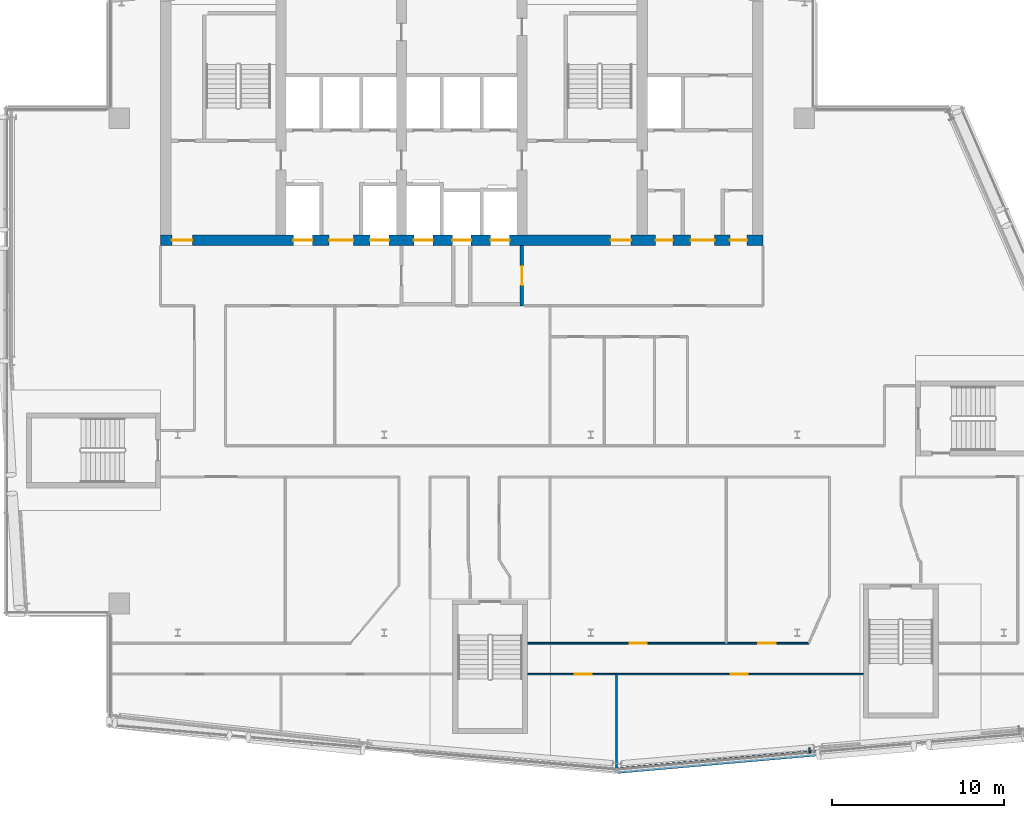
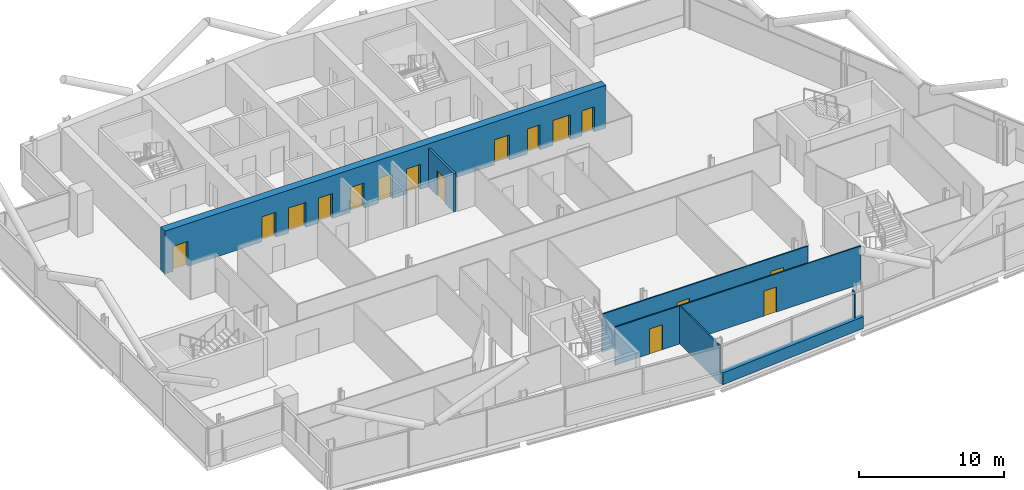
# One storey, part 16 of 27: 16 doors, 7 walls, 16 openings.
"""IFC4 building model written with IfcOpenShell, lengths in metres."""

from ifc_helpers import new_model, si_unit, direction, frame, frame_2d, origin, place, context, subcontext, project, spatial, rectangle, extrude, material, layer, layer_set, type_object, element, fill, save


model = new_model("IFC4")

# Units and contexts
model_context = context("Model", 3, precision=1e-05, world=origin(), true_north=direction((0.0, 1.0)))
body_context = subcontext(model_context, "Body", "Model", "MODEL_VIEW")
ifc_project = project(units=[si_unit("LENGTHUNIT", "METRE"), si_unit("AREAUNIT", "SQUARE_METRE"), si_unit("VOLUMEUNIT", "CUBIC_METRE"), si_unit("PLANEANGLEUNIT", "RADIAN"), si_unit("MASSUNIT", "GRAM", prefix="KILO")], contexts=[model_context])

# Site, building, storey
site_placement = place(None, origin())
site = spatial("IfcSite", under=ifc_project, at=site_placement, CompositionType="ELEMENT")
building_placement = place(site_placement, origin())
building = spatial("IfcBuilding", under=site, at=building_placement, Name="Wharfspan Tower", CompositionType="ELEMENT")
storey_placement = place(building_placement, frame((0.0, 0.0, 243.100098)))
storey = spatial("IfcBuildingStorey", under=building, at=storey_placement, Name="L61", CompositionType="ELEMENT", Elevation=243.100098)

# Wall, openings, doors
ifc_material_1 = material(Name="Gypsum board on steel studs", Category="steel")
ifc_layer_1 = layer(ifc_material_1, 0.100098)
ifc_layer_set_1 = layer_set([ifc_layer_1], Name="Gypsum board on steel studs")
wall_type_1 = type_object("IfcWallType", Name="Compartment wall 100 EI 60", PredefinedType="PARTITIONING", material=ifc_layer_set_1)
wall_1_placement = place(storey_placement, frame((44.327148, 9.094971, 0.0), z_axis=(0.0, 0.0, 1.0), x_axis=(1.0, 0.0, 0.0)))
wall_1 = element("IfcWall", 1, at=wall_1_placement, inside=storey, type_object=wall_type_1, Name="Partition L61.w030", PredefinedType="PARTITIONING", context=body_context, shape_type="SweptSolid", body=[
    extrude(rectangle(XDim=19.516602, YDim=0.100098, at=frame_2d((9.758301, 0.0))), origin(), (0.0, 0.0, 1.0), 3.199951),
])
opening_1_placement = place(wall_1_placement, frame((2.74292, 0.0, 0.0)))
opening_1 = element("IfcOpeningElement", 2, at=opening_1_placement, cuts=wall_1, Name="Opening D5-03", PredefinedType="OPENING", context=body_context, shape_type="SweptSolid", body=[
    extrude(rectangle(XDim=1.0, YDim=2.100098, at=frame_2d((0.5, 1.050049))), frame((0.0, 0.060059, 0.0), z_axis=(0.0, -1.0, 0.0), x_axis=(1.0, 0.0, 0.0)), (0.0, 0.0, 1.0), 0.120117),
])
opening_2_placement = place(wall_1_placement, frame((11.792969, 0.0, 0.0)))
opening_2 = element("IfcOpeningElement", 3, at=opening_2_placement, cuts=wall_1, Name="Opening D5-04", PredefinedType="OPENING", context=body_context, shape_type="SweptSolid", body=[
    extrude(rectangle(XDim=1.0, YDim=2.100098, at=frame_2d((0.5, 1.050049))), frame((0.0, 0.060059, 0.0), z_axis=(0.0, -1.0, 0.0), x_axis=(1.0, 0.0, 0.0)), (0.0, 0.0, 1.0), 0.120117),
])
ifc_material_2 = material(Name="Fire-rated timber door leaf in steel frame", Category="steel")
door_type_1 = type_object("IfcDoorType", Name="Door 1000 FD30S Left", OperationType="SINGLE_SWING_LEFT", PredefinedType="DOOR", material=ifc_material_2)
door_1_placement = place(opening_1_placement, origin())
door_1 = element("IfcDoor", 4, at=door_1_placement, inside=storey, type_object=door_type_1, Name="Door D5-03", OperationType="SINGLE_SWING_LEFT", OverallHeight=2.100098, OverallWidth=1.0, PredefinedType="DOOR", context=body_context, shape_type="SweptSolid", body=[
    extrude(rectangle(XDim=1.0, YDim=2.100098, at=frame_2d((0.5, 1.050049))), frame((0.0, 0.024902, 0.0), z_axis=(0.0, -1.0, 0.0), x_axis=(1.0, 0.0, 0.0)), (0.0, 0.0, 1.0), 0.050049),
])
fill(opening_1, door_1)
door_type_2 = type_object("IfcDoorType", Name="Door 1000 FD30S Right", OperationType="SINGLE_SWING_RIGHT", PredefinedType="DOOR", material=ifc_material_2)
door_2_placement = place(opening_2_placement, origin())
door_2 = element("IfcDoor", 5, at=door_2_placement, inside=storey, type_object=door_type_2, Name="Door D5-04", OperationType="SINGLE_SWING_RIGHT", OverallHeight=2.100098, OverallWidth=1.0, PredefinedType="DOOR", context=body_context, shape_type="SweptSolid", body=[
    extrude(rectangle(XDim=1.0, YDim=2.100098, at=frame_2d((0.5, 1.050049))), frame((0.0, 0.024902, 0.0), z_axis=(0.0, -1.0, 0.0), x_axis=(1.0, 0.0, 0.0)), (0.0, 0.0, 1.0), 0.050049),
])
fill(opening_2, door_2)

wall_2_placement = place(storey_placement, frame((44.327148, 10.89502, 0.0), z_axis=(0.0, 0.0, 1.0), x_axis=(1.0, 0.0, 0.0)))
wall_2 = element("IfcWall", 6, at=wall_2_placement, inside=storey, type_object=wall_type_1, Name="Partition L61.w031", PredefinedType="PARTITIONING", context=body_context, shape_type="SweptSolid", body=[
    extrude(rectangle(XDim=16.332764, YDim=0.100098, at=frame_2d((8.166504, 0.0))), origin(), (0.0, 0.0, 1.0), 3.199951),
])
opening_3_placement = place(wall_2_placement, frame((5.927979, 0.0, 0.0)))
opening_3 = element("IfcOpeningElement", 7, at=opening_3_placement, cuts=wall_2, Name="Opening D5-07", PredefinedType="OPENING", context=body_context, shape_type="SweptSolid", body=[
    extrude(rectangle(XDim=1.0, YDim=2.100098, at=frame_2d((0.5, 1.050049))), frame((0.0, 0.060059, 0.0), z_axis=(0.0, -1.0, 0.0), x_axis=(1.0, 0.0, 0.0)), (0.0, 0.0, 1.0), 0.120117),
])
opening_4_placement = place(wall_2_placement, frame((13.416748, 0.0, 0.0)))
opening_4 = element("IfcOpeningElement", 8, at=opening_4_placement, cuts=wall_2, Name="Opening D5-08", PredefinedType="OPENING", context=body_context, shape_type="SweptSolid", body=[
    extrude(rectangle(XDim=1.0, YDim=2.100098, at=frame_2d((0.5, 1.050049))), frame((0.0, 0.060059, 0.0), z_axis=(0.0, -1.0, 0.0), x_axis=(1.0, 0.0, 0.0)), (0.0, 0.0, 1.0), 0.120117),
])
door_3_placement = place(opening_3_placement, origin())
door_3 = element("IfcDoor", 9, at=door_3_placement, inside=storey, type_object=door_type_1, Name="Door D5-07", OperationType="SINGLE_SWING_LEFT", OverallHeight=2.100098, OverallWidth=1.0, PredefinedType="DOOR", context=body_context, shape_type="SweptSolid", body=[
    extrude(rectangle(XDim=1.0, YDim=2.100098, at=frame_2d((0.5, 1.050049))), frame((0.0, 0.024902, 0.0), z_axis=(0.0, -1.0, 0.0), x_axis=(1.0, 0.0, 0.0)), (0.0, 0.0, 1.0), 0.050049),
])
fill(opening_3, door_3)
door_4_placement = place(opening_4_placement, origin())
door_4 = element("IfcDoor", 10, at=door_4_placement, inside=storey, type_object=door_type_2, Name="Door D5-08", OperationType="SINGLE_SWING_RIGHT", OverallHeight=2.100098, OverallWidth=1.0, PredefinedType="DOOR", context=body_context, shape_type="SweptSolid", body=[
    extrude(rectangle(XDim=1.0, YDim=2.100098, at=frame_2d((0.5, 1.050049))), frame((0.0, 0.024902, 0.0), z_axis=(0.0, -1.0, 0.0), x_axis=(1.0, 0.0, 0.0)), (0.0, 0.0, 1.0), 0.050049),
])
fill(opening_4, door_4)

# Wall
wall_3_placement = place(storey_placement, frame((49.5, 3.51416, 0.0), z_axis=(0.0, 0.0, 1.0), x_axis=(0.0, 1.0, 0.0)))
element("IfcWall", 11, at=wall_3_placement, inside=storey, type_object=wall_type_1, Name="Partition L61.w036", PredefinedType="PARTITIONING", context=body_context, shape_type="SweptSolid", body=[
    extrude(rectangle(XDim=5.580811, YDim=0.100098, at=frame_2d((2.790527, 0.0))), origin(), (0.0, 0.0, 1.0), 3.199951),
])

# Wall, openings, doors
ifc_material_3 = material(Name="Concrete C50/60", Category="concrete")
ifc_layer_2 = layer(ifc_material_3, 0.600098)
ifc_layer_set_2 = layer_set([ifc_layer_2], Name="Concrete C50/60")
wall_type_2 = type_object("IfcWallType", Name="Core wall 600 C50/60", PredefinedType="SHEAR", material=ifc_layer_set_2)
wall_4_placement = place(storey_placement, frame((23.0, 34.300049, 0.0), z_axis=(0.0, 0.0, 1.0), x_axis=(1.0, 0.0, 0.0)))
wall_4 = element("IfcWall", 12, at=wall_4_placement, inside=storey, type_object=wall_type_2, Name="Core front wall L61", PredefinedType="SHEAR", context=body_context, shape_type="SweptSolid", body=[
    extrude(rectangle(XDim=35.0, YDim=0.600098, at=frame_2d((17.5, 0.0))), origin(), (0.0, 0.0, 1.0), 3.599854),
])
opening_5_placement = place(wall_4_placement, frame((0.649902, 0.0, 0.0)))
opening_5 = element("IfcOpeningElement", 13, at=opening_5_placement, cuts=wall_4, Name="Opening SV2.L61", PredefinedType="OPENING", context=body_context, shape_type="SweptSolid", body=[
    extrude(rectangle(XDim=1.199951, YDim=2.100098, at=frame_2d((0.600098, 1.050049))), frame((0.0, 0.310059, 0.0), z_axis=(0.0, -1.0, 0.0), x_axis=(1.0, 0.0, 0.0)), (0.0, 0.0, 1.0), 0.620117),
])
opening_6_placement = place(wall_4_placement, frame((7.716797, 0.0, 0.0)))
opening_6 = element("IfcOpeningElement", 14, at=opening_6_placement, cuts=wall_4, Name="Opening LD.SL1.L61", PredefinedType="OPENING", context=body_context, shape_type="SweptSolid", body=[
    extrude(rectangle(XDim=1.100098, YDim=2.100098, at=frame_2d((0.550049, 1.050049))), frame((0.0, 0.310059, 0.0), z_axis=(0.0, -1.0, 0.0), x_axis=(1.0, 0.0, 0.0)), (0.0, 0.0, 1.0), 0.620117),
])
opening_7_placement = place(wall_4_placement, frame((12.18335, 0.0, 0.0)))
opening_7 = element("IfcOpeningElement", 15, at=opening_7_placement, cuts=wall_4, Name="Opening LD.SL2.L61", PredefinedType="OPENING", context=body_context, shape_type="SweptSolid", body=[
    extrude(rectangle(XDim=1.100098, YDim=2.100098, at=frame_2d((0.550049, 1.050049))), frame((0.0, 0.310059, 0.0), z_axis=(0.0, -1.0, 0.0), x_axis=(1.0, 0.0, 0.0)), (0.0, 0.0, 1.0), 0.620117),
])
opening_8_placement = place(wall_4_placement, frame((9.800049, 0.0, 0.0)))
opening_8 = element("IfcOpeningElement", 16, at=opening_8_placement, cuts=wall_4, Name="Opening HD61.3", PredefinedType="OPENING", context=body_context, shape_type="SweptSolid", body=[
    extrude(rectangle(XDim=1.399902, YDim=2.100098, at=frame_2d((0.699951, 1.050049))), frame((0.0, 0.310059, 0.0), z_axis=(0.0, -1.0, 0.0), x_axis=(1.0, 0.0, 0.0)), (0.0, 0.0, 1.0), 0.620117),
])
opening_9_placement = place(wall_4_placement, frame((14.716797, 0.0, 0.0)))
opening_9 = element("IfcOpeningElement", 17, at=opening_9_placement, cuts=wall_4, Name="Opening LD.FF1.L61", PredefinedType="OPENING", context=body_context, shape_type="SweptSolid", body=[
    extrude(rectangle(XDim=1.100098, YDim=2.100098, at=frame_2d((0.550049, 1.050049))), frame((0.0, 0.310059, 0.0), z_axis=(0.0, -1.0, 0.0), x_axis=(1.0, 0.0, 0.0)), (0.0, 0.0, 1.0), 0.620117),
])
opening_10_placement = place(wall_4_placement, frame((16.949951, 0.0, 0.0)))
opening_10 = element("IfcOpeningElement", 18, at=opening_10_placement, cuts=wall_4, Name="Opening LD.LB7.L61", PredefinedType="OPENING", context=body_context, shape_type="SweptSolid", body=[
    extrude(rectangle(XDim=1.100098, YDim=2.100098, at=frame_2d((0.550049, 1.050049))), frame((0.0, 0.310059, 0.0), z_axis=(0.0, -1.0, 0.0), x_axis=(1.0, 0.0, 0.0)), (0.0, 0.0, 1.0), 0.620117),
])
opening_11_placement = place(wall_4_placement, frame((19.18335, 0.0, 0.0)))
opening_11 = element("IfcOpeningElement", 19, at=opening_11_placement, cuts=wall_4, Name="Opening LD.FF2.L61", PredefinedType="OPENING", context=body_context, shape_type="SweptSolid", body=[
    extrude(rectangle(XDim=1.100098, YDim=2.100098, at=frame_2d((0.550049, 1.050049))), frame((0.0, 0.310059, 0.0), z_axis=(0.0, -1.0, 0.0), x_axis=(1.0, 0.0, 0.0)), (0.0, 0.0, 1.0), 0.620117),
])
opening_12_placement = place(wall_4_placement, frame((26.149902, 0.0, 0.0)))
opening_12 = element("IfcOpeningElement", 20, at=opening_12_placement, cuts=wall_4, Name="Opening SV5.L61", PredefinedType="OPENING", context=body_context, shape_type="SweptSolid", body=[
    extrude(rectangle(XDim=1.199951, YDim=2.100098, at=frame_2d((0.600098, 1.050049))), frame((0.0, 0.310059, 0.0), z_axis=(0.0, -1.0, 0.0), x_axis=(1.0, 0.0, 0.0)), (0.0, 0.0, 1.0), 0.620117),
])
opening_13_placement = place(wall_4_placement, frame((28.766602, 0.0, 0.0)))
opening_13 = element("IfcOpeningElement", 21, at=opening_13_placement, cuts=wall_4, Name="Opening CD61.6F1", PredefinedType="OPENING", context=body_context, shape_type="SweptSolid", body=[
    extrude(rectangle(XDim=1.0, YDim=2.100098, at=frame_2d((0.5, 1.050049))), frame((0.0, 0.310059, 0.0), z_axis=(0.0, -1.0, 0.0), x_axis=(1.0, 0.0, 0.0)), (0.0, 0.0, 1.0), 0.620117),
])
opening_14_placement = place(wall_4_placement, frame((33.083252, 0.0, 0.0)))
opening_14 = element("IfcOpeningElement", 22, at=opening_14_placement, cuts=wall_4, Name="Opening CD61.6F3", PredefinedType="OPENING", context=body_context, shape_type="SweptSolid", body=[
    extrude(rectangle(XDim=1.0, YDim=2.100098, at=frame_2d((0.5, 1.050049))), frame((0.0, 0.310059, 0.0), z_axis=(0.0, -1.0, 0.0), x_axis=(1.0, 0.0, 0.0)), (0.0, 0.0, 1.0), 0.620117),
])
opening_15_placement = place(wall_4_placement, frame((30.800049, 0.0, 0.0)))
opening_15 = element("IfcOpeningElement", 23, at=opening_15_placement, cuts=wall_4, Name="Opening HD61.6", PredefinedType="OPENING", context=body_context, shape_type="SweptSolid", body=[
    extrude(rectangle(XDim=1.399902, YDim=2.100098, at=frame_2d((0.699951, 1.050049))), frame((0.0, 0.310059, 0.0), z_axis=(0.0, -1.0, 0.0), x_axis=(1.0, 0.0, 0.0)), (0.0, 0.0, 1.0), 0.620117),
])
ifc_material_4 = material(Name="Steel door leaf", Category="steel")
door_type_3 = type_object("IfcDoorType", Name="Core room door 1000x2100", OperationType="SINGLE_SWING_LEFT", PredefinedType="DOOR", material=ifc_material_4)
door_5_placement = place(opening_13_placement, origin())
door_5 = element("IfcDoor", 24, at=door_5_placement, inside=storey, type_object=door_type_3, Name="d:L61:6:fd6.1", OperationType="SINGLE_SWING_LEFT", OverallHeight=2.100098, OverallWidth=1.0, PredefinedType="DOOR", context=body_context, shape_type="SweptSolid", body=[
    extrude(rectangle(XDim=1.0, YDim=2.100098, at=frame_2d((0.5, 1.050049))), frame((0.0, 0.024902, 0.0), z_axis=(0.0, -1.0, 0.0), x_axis=(1.0, 0.0, 0.0)), (0.0, 0.0, 1.0), 0.050049),
])
fill(opening_13, door_5)
door_6_placement = place(opening_14_placement, origin())
door_6 = element("IfcDoor", 25, at=door_6_placement, inside=storey, type_object=door_type_3, Name="d:L61:6:fd6.3", OperationType="SINGLE_SWING_LEFT", OverallHeight=2.100098, OverallWidth=1.0, PredefinedType="DOOR", context=body_context, shape_type="SweptSolid", body=[
    extrude(rectangle(XDim=1.0, YDim=2.100098, at=frame_2d((0.5, 1.050049))), frame((0.0, 0.024902, 0.0), z_axis=(0.0, -1.0, 0.0), x_axis=(1.0, 0.0, 0.0)), (0.0, 0.0, 1.0), 0.050049),
])
fill(opening_14, door_6)
door_type_4 = type_object("IfcDoorType", Name="Hall entry door 1400x2100", OperationType="DOUBLE_DOOR_SINGLE_SWING", PredefinedType="DOOR", material=ifc_material_4)
door_7_placement = place(opening_8_placement, origin())
door_7 = element("IfcDoor", 26, at=door_7_placement, inside=storey, type_object=door_type_4, Name="d:L61:3:hd3", OperationType="DOUBLE_DOOR_SINGLE_SWING", OverallHeight=2.100098, OverallWidth=1.399902, PredefinedType="DOOR", context=body_context, shape_type="SweptSolid", body=[
    extrude(rectangle(XDim=1.399902, YDim=2.100098, at=frame_2d((0.699951, 1.050049))), frame((0.0, 0.024902, 0.0), z_axis=(0.0, -1.0, 0.0), x_axis=(1.0, 0.0, 0.0)), (0.0, 0.0, 1.0), 0.050049),
])
fill(opening_8, door_7)
door_8_placement = place(opening_15_placement, origin())
door_8 = element("IfcDoor", 27, at=door_8_placement, inside=storey, type_object=door_type_4, Name="d:L61:6:hd6", OperationType="DOUBLE_DOOR_SINGLE_SWING", OverallHeight=2.100098, OverallWidth=1.399902, PredefinedType="DOOR", context=body_context, shape_type="SweptSolid", body=[
    extrude(rectangle(XDim=1.399902, YDim=2.100098, at=frame_2d((0.699951, 1.050049))), frame((0.0, 0.024902, 0.0), z_axis=(0.0, -1.0, 0.0), x_axis=(1.0, 0.0, 0.0)), (0.0, 0.0, 1.0), 0.050049),
])
fill(opening_15, door_8)
ifc_material_5 = material(Name="Stainless steel", Category="steel")
door_type_5 = type_object("IfcDoorType", Name="Lift landing door 1100x2100", OperationType="DOUBLE_DOOR_SLIDING", PredefinedType="DOOR", material=ifc_material_5)
door_9_placement = place(opening_6_placement, origin())
door_9 = element("IfcDoor", 28, at=door_9_placement, inside=storey, type_object=door_type_5, Name="Landing door SL1 L61", OperationType="DOUBLE_DOOR_SLIDING", OverallHeight=2.100098, OverallWidth=1.100098, PredefinedType="DOOR", context=body_context, shape_type="SweptSolid", body=[
    extrude(rectangle(XDim=1.100098, YDim=2.100098, at=frame_2d((0.550049, 1.050049))), frame((0.0, 0.024902, 0.0), z_axis=(0.0, -1.0, 0.0), x_axis=(1.0, 0.0, 0.0)), (0.0, 0.0, 1.0), 0.050049),
])
fill(opening_6, door_9)
door_10_placement = place(opening_7_placement, origin())
door_10 = element("IfcDoor", 29, at=door_10_placement, inside=storey, type_object=door_type_5, Name="Landing door SL2 L61", OperationType="DOUBLE_DOOR_SLIDING", OverallHeight=2.100098, OverallWidth=1.100098, PredefinedType="DOOR", context=body_context, shape_type="SweptSolid", body=[
    extrude(rectangle(XDim=1.100098, YDim=2.100098, at=frame_2d((0.550049, 1.050049))), frame((0.0, 0.024902, 0.0), z_axis=(0.0, -1.0, 0.0), x_axis=(1.0, 0.0, 0.0)), (0.0, 0.0, 1.0), 0.050049),
])
fill(opening_7, door_10)
door_11_placement = place(opening_9_placement, origin())
door_11 = element("IfcDoor", 30, at=door_11_placement, inside=storey, type_object=door_type_5, Name="Landing door FF1 L61", OperationType="DOUBLE_DOOR_SLIDING", OverallHeight=2.100098, OverallWidth=1.100098, PredefinedType="DOOR", context=body_context, shape_type="SweptSolid", body=[
    extrude(rectangle(XDim=1.100098, YDim=2.100098, at=frame_2d((0.550049, 1.050049))), frame((0.0, 0.024902, 0.0), z_axis=(0.0, -1.0, 0.0), x_axis=(1.0, 0.0, 0.0)), (0.0, 0.0, 1.0), 0.050049),
])
fill(opening_9, door_11)
door_12_placement = place(opening_10_placement, origin())
door_12 = element("IfcDoor", 31, at=door_12_placement, inside=storey, type_object=door_type_5, Name="Landing door LB7 L61", OperationType="DOUBLE_DOOR_SLIDING", OverallHeight=2.100098, OverallWidth=1.100098, PredefinedType="DOOR", context=body_context, shape_type="SweptSolid", body=[
    extrude(rectangle(XDim=1.100098, YDim=2.100098, at=frame_2d((0.550049, 1.050049))), frame((0.0, 0.024902, 0.0), z_axis=(0.0, -1.0, 0.0), x_axis=(1.0, 0.0, 0.0)), (0.0, 0.0, 1.0), 0.050049),
])
fill(opening_10, door_12)
door_13_placement = place(opening_11_placement, origin())
door_13 = element("IfcDoor", 32, at=door_13_placement, inside=storey, type_object=door_type_5, Name="Landing door FF2 L61", OperationType="DOUBLE_DOOR_SLIDING", OverallHeight=2.100098, OverallWidth=1.100098, PredefinedType="DOOR", context=body_context, shape_type="SweptSolid", body=[
    extrude(rectangle(XDim=1.100098, YDim=2.100098, at=frame_2d((0.550049, 1.050049))), frame((0.0, 0.024902, 0.0), z_axis=(0.0, -1.0, 0.0), x_axis=(1.0, 0.0, 0.0)), (0.0, 0.0, 1.0), 0.050049),
])
fill(opening_11, door_13)
door_type_6 = type_object("IfcDoorType", Name="Stair door 1200x2100", OperationType="SINGLE_SWING_LEFT", PredefinedType="DOOR", material=ifc_material_4)
door_14_placement = place(opening_5_placement, origin())
door_14 = element("IfcDoor", 33, at=door_14_placement, inside=storey, type_object=door_type_6, Name="vd:L61:2", OperationType="SINGLE_SWING_LEFT", OverallHeight=2.100098, OverallWidth=1.199951, PredefinedType="DOOR", context=body_context, shape_type="SweptSolid", body=[
    extrude(rectangle(XDim=1.199951, YDim=2.100098, at=frame_2d((0.600098, 1.050049))), frame((0.0, 0.024902, 0.0), z_axis=(0.0, -1.0, 0.0), x_axis=(1.0, 0.0, 0.0)), (0.0, 0.0, 1.0), 0.050049),
])
fill(opening_5, door_14)
door_15_placement = place(opening_12_placement, origin())
door_15 = element("IfcDoor", 34, at=door_15_placement, inside=storey, type_object=door_type_6, Name="vd:L61:5", OperationType="SINGLE_SWING_LEFT", OverallHeight=2.100098, OverallWidth=1.199951, PredefinedType="DOOR", context=body_context, shape_type="SweptSolid", body=[
    extrude(rectangle(XDim=1.199951, YDim=2.100098, at=frame_2d((0.600098, 1.050049))), frame((0.0, 0.024902, 0.0), z_axis=(0.0, -1.0, 0.0), x_axis=(1.0, 0.0, 0.0)), (0.0, 0.0, 1.0), 0.050049),
])
fill(opening_12, door_15)

# Wall, opening, door
ifc_material_6 = material(Name="Concrete C30/37", Category="concrete")
ifc_layer_3 = layer(ifc_material_6, 0.199951)
ifc_layer_set_3 = layer_set([ifc_layer_3], Name="Concrete C30/37")
wall_type_3 = type_object("IfcWallType", Name="Lobby wall 200", PredefinedType="PARTITIONING", material=ifc_layer_set_3)
wall_5_placement = place(storey_placement, frame((44.0, 30.5, 0.0), z_axis=(0.0, 0.0, 1.0), x_axis=(0.0, 1.0, 0.0)))
wall_5 = element("IfcWall", 35, at=wall_5_placement, inside=storey, type_object=wall_type_3, Name="sw:L61:FLFF2E", PredefinedType="PARTITIONING", context=body_context, shape_type="SweptSolid", body=[
    extrude(rectangle(XDim=3.5, YDim=0.199951, at=frame_2d((1.75, 0.0))), origin(), (0.0, 0.0, 1.0), 3.199951),
])
opening_16_placement = place(wall_5_placement, frame((1.199951, 0.0, 0.0)))
opening_16 = element("IfcOpeningElement", 36, at=opening_16_placement, cuts=wall_5, Name="Opening FL.FF2.L61", PredefinedType="OPENING", context=body_context, shape_type="SweptSolid", body=[
    extrude(rectangle(XDim=1.100098, YDim=2.100098, at=frame_2d((0.550049, 1.050049))), frame((0.0, 0.109863, 0.0), z_axis=(0.0, -1.0, 0.0), x_axis=(1.0, 0.0, 0.0)), (0.0, 0.0, 1.0), 0.219971),
])
door_type_7 = type_object("IfcDoorType", Name="Firefighting lobby door 1100x2100", OperationType="SINGLE_SWING_LEFT", PredefinedType="DOOR", material=ifc_material_4)
door_16_placement = place(opening_16_placement, origin())
door_16 = element("IfcDoor", 37, at=door_16_placement, inside=storey, type_object=door_type_7, Name="fd:L61:FF2", OperationType="SINGLE_SWING_LEFT", OverallHeight=2.100098, OverallWidth=1.100098, PredefinedType="DOOR", context=body_context, shape_type="SweptSolid", body=[
    extrude(rectangle(XDim=1.100098, YDim=2.100098, at=frame_2d((0.550049, 1.050049))), frame((0.0, 0.024902, 0.0), z_axis=(0.0, -1.0, 0.0), x_axis=(1.0, 0.0, 0.0)), (0.0, 0.0, 1.0), 0.050049),
])
fill(opening_16, door_16)

# Walls
ifc_layer_4 = layer(ifc_material_1, 0.100098)
ifc_layer_set_4 = layer_set([ifc_layer_4], Name="Gypsum board on steel studs")
wall_type_4 = type_object("IfcWallType", Name="Partition 100", PredefinedType="PARTITIONING", material=ifc_layer_set_4)
wall_6_placement = place(storey_placement, frame((60.73291, 4.49707, 0.0), z_axis=(0.0, 0.0, 1.0), x_axis=(-0.090037, 0.995936, 0.0)))
element("IfcWall", 38, at=wall_6_placement, inside=storey, type_object=wall_type_4, Name="Partition L61.w042", PredefinedType="PARTITIONING", context=body_context, shape_type="SweptSolid", body=[
    extrude(rectangle(XDim=0.309082, YDim=0.100098, at=frame_2d((0.154541, 0.0))), origin(), (0.0, 0.0, 1.0), 3.199951),
])
ifc_material_7 = material(Name="Concrete C40/50", Category="concrete")
ifc_layer_5 = layer(ifc_material_7, 0.350098)
ifc_layer_set_5 = layer_set([ifc_layer_5], Name="Concrete C40/50")
wall_type_5 = type_object("IfcWallType", Name="SPANDREL EXPOSED CONCRETE 350", PredefinedType="SOLIDWALL", material=ifc_layer_set_5)
wall_7_placement = place(storey_placement, frame((49.54541, 3.493164, 0.0), z_axis=(0.0, 0.0, 1.0), x_axis=(0.996196, 0.087141, 0.0)))
element("IfcWall", 39, at=wall_7_placement, inside=storey, type_object=wall_type_5, Name="Spandrel upstand L61 S2 1", PredefinedType="SOLIDWALL", context=body_context, shape_type="SweptSolid", body=[
    extrude(rectangle(XDim=11.803467, YDim=0.350098, at=frame_2d((5.901855, 0.0))), origin(), (0.0, 0.0, 1.0), 1.0),
])

save(model, "model.ifc")
